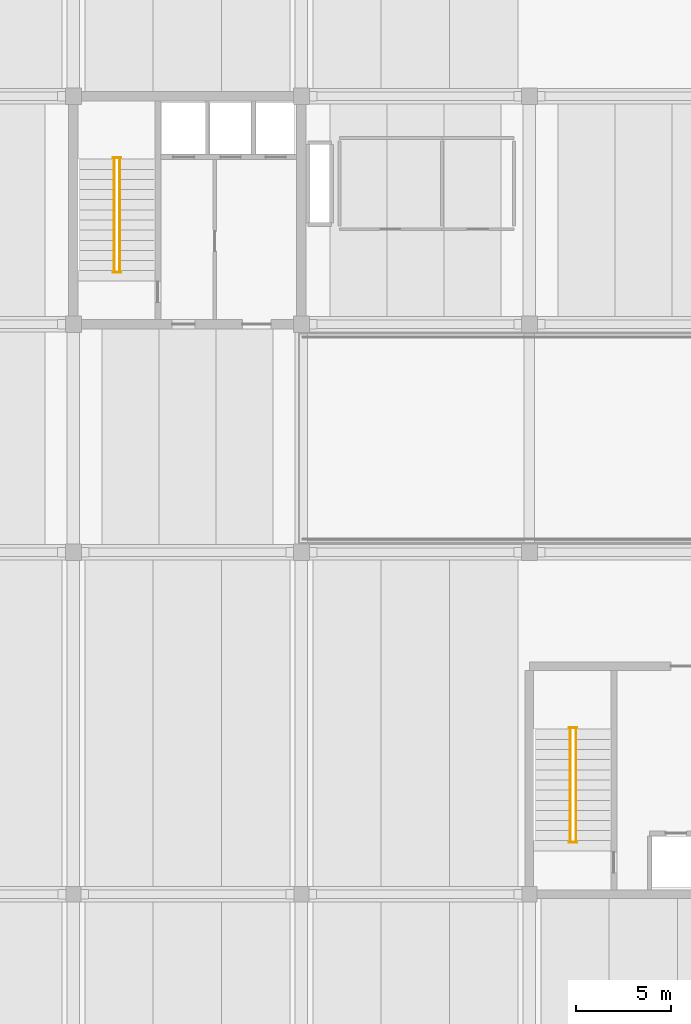
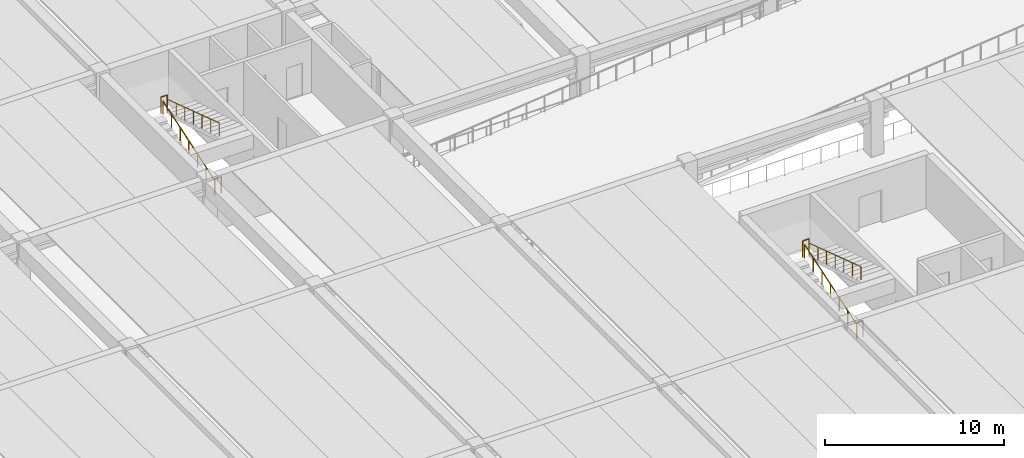
# One storey, part 12 of 14: 8 railings.
"""IFC4 building model written with IfcOpenShell, lengths in metres."""

from ifc_helpers import new_model, si_unit, direction, frame, origin, origin_2d, place, context, subcontext, project, spatial, circle, extrude, material, layer, layer_set, type_object, element, save


model = new_model("IFC4")

# Units and contexts
model_context = context("Model", 3, precision=1e-05, world=origin(), true_north=direction((0.0, 1.0)))
body_context = subcontext(model_context, "Body", "Model", "MODEL_VIEW")
ifc_project = project(units=[si_unit("LENGTHUNIT", "METRE"), si_unit("AREAUNIT", "SQUARE_METRE"), si_unit("VOLUMEUNIT", "CUBIC_METRE"), si_unit("PLANEANGLEUNIT", "RADIAN"), si_unit("MASSUNIT", "GRAM", prefix="KILO")], contexts=[model_context])

# Site, building, storey
site_placement = place(None, origin())
site = spatial("IfcSite", under=ifc_project, at=site_placement, CompositionType="ELEMENT")
building_placement = place(site_placement, origin())
building = spatial("IfcBuilding", under=site, at=building_placement, Name="Girod Span Mobility Hub", CompositionType="ELEMENT")
storey_placement = place(building_placement, frame((0.0, 0.0, 24.800048828125)))
storey = spatial("IfcBuildingStorey", under=building, at=storey_placement, Name="L06", CompositionType="ELEMENT", Elevation=24.800048828125)

# Railings
ifc_material_1 = material(Name="Painted Galvanised Steel", Category="steel")
ifc_layer_1 = layer(ifc_material_1, 0.06494140625)
ifc_layer_set_1 = layer_set([ifc_layer_1], Name="Painted Galvanised Steel")
railing_type_1 = type_object("IfcRailingType", Name="RL-GRD-1120", PredefinedType="GUARDRAIL", material=ifc_layer_set_1)
for number, where, name in (
    (1, (50.10009765625, 65.77001953125, 1.89990234375), "Stair ST-1 Half-Landing Well Guard L06"),
    (2, (50.10009765625, 59.72998046875, 0.0), "Stair ST-1 Landing Well Guard L06"),
    (3, (74.10009765625, 35.77001953125, 1.89990234375), "Stair ST-3 Half-Landing Well Guard L06"),
    (4, (74.10009765625, 29.72998046875, 0.0), "Stair ST-3 Landing Well Guard L06"),
):
    element("IfcRailing", number, at=place(storey_placement, frame(where)), inside=storey, type_object=railing_type_1, Name=name, PredefinedType="GUARDRAIL", context=body_context, shape_type="SweptSolid", body=[
        extrude(circle(Radius=0.02392578125, at=origin_2d()), frame((0.0, 0.0, 1.09619140625), z_axis=(1.0, 0.0, 0.0), x_axis=(0.0, 1.0, 0.0)), (0.0, 0.0, 1.0), 0.39990234375),
        extrude(circle(Radius=0.02099609375, at=origin_2d()), origin(), (0.0, 0.0, 1.0), 1.072021484375),
        extrude(circle(Radius=0.02099609375, at=origin_2d()), frame((0.39990234375, 0.0, 0.0)), (0.0, 0.0, 1.0), 1.072021484375),
    ])
ifc_material_2 = material(Name="Painted Galvanised Steel", Category="steel")
ifc_layer_2 = layer(ifc_material_2, 0.050048828125)
ifc_layer_set_2 = layer_set([ifc_layer_2], Name="Painted Galvanised Steel")
railing_type_2 = type_object("IfcRailingType", Name="RL-HR-920", PredefinedType="HANDRAIL", material=ifc_layer_set_2)
railing_1_placement = place(storey_placement, frame((50.14990234375, 59.860107421875, 0.0)))
element("IfcRailing", 5, at=railing_1_placement, inside=storey, type_object=railing_type_2, Name="Stair ST-1 Flight 1 Handrail L06", PredefinedType="HANDRAIL", context=body_context, shape_type="SweptSolid", body=[
    extrude(circle(Radius=0.02392578125, at=origin_2d()), frame((0.0, 0.0, 0.89599609375), z_axis=(0.0, 0.949991280403, 0.312276427477), x_axis=(-1.0, 0.0, 0.0)), (0.0, 0.0, 1.0), 6.083984375),
    extrude(circle(Radius=0.02099609375, at=origin_2d()), origin(), (0.0, 0.0, 1.0), 0.871826171875),
    extrude(circle(Radius=0.02099609375, at=origin_2d()), frame((0.0, 0.96337890625, 0.316650390625)), (0.0, 0.0, 1.0), 0.871826171875),
    extrude(circle(Radius=0.02099609375, at=origin_2d()), frame((0.0, 1.926513671875, 0.63330078125)), (0.0, 0.0, 1.0), 0.871826171875),
    extrude(circle(Radius=0.02099609375, at=origin_2d()), frame((0.0, 2.889892578125, 0.949951171875)), (0.0, 0.0, 1.0), 0.871826171875),
    extrude(circle(Radius=0.02099609375, at=origin_2d()), frame((0.0, 3.853271484375, 1.2666015625)), (0.0, 0.0, 1.0), 0.871826171875),
    extrude(circle(Radius=0.02099609375, at=origin_2d()), frame((0.0, 4.81640625, 1.583251953125)), (0.0, 0.0, 1.0), 0.871826171875),
    extrude(circle(Radius=0.02099609375, at=origin_2d()), frame((0.0, 5.77978515625, 1.89990234375)), (0.0, 0.0, 1.0), 0.871826171875),
])
railing_2_placement = place(storey_placement, frame((50.449951171875, 65.639892578125, 1.89990234375)))
element("IfcRailing", 6, at=railing_2_placement, inside=storey, type_object=railing_type_2, Name="Stair ST-1 Flight 2 Handrail L06", PredefinedType="HANDRAIL", context=body_context, shape_type="SweptSolid", body=[
    extrude(circle(Radius=0.02392578125, at=origin_2d()), frame((0.0, 0.0, 0.89599609375), z_axis=(0.0, -0.949979375482, 0.31231264169), x_axis=(1.0, 0.0, 0.0)), (0.0, 0.0, 1.0), 6.084228515625),
    extrude(circle(Radius=0.02099609375, at=origin_2d()), origin(), (0.0, 0.0, 1.0), 0.871826171875),
    extrude(circle(Radius=0.02099609375, at=origin_2d()), frame((0.0, -0.96337890625, 0.316650390625)), (0.0, 0.0, 1.0), 0.871826171875),
    extrude(circle(Radius=0.02099609375, at=origin_2d()), frame((0.0, -1.926513671875, 0.63330078125)), (0.0, 0.0, 1.0), 0.871826171875),
    extrude(circle(Radius=0.02099609375, at=origin_2d()), frame((0.0, -2.889892578125, 0.9501953125)), (0.0, 0.0, 1.0), 0.871826171875),
    extrude(circle(Radius=0.02099609375, at=origin_2d()), frame((0.0, -3.853271484375, 1.266845703125)), (0.0, 0.0, 1.0), 0.871826171875),
    extrude(circle(Radius=0.02099609375, at=origin_2d()), frame((0.0, -4.81640625, 1.58349609375)), (0.0, 0.0, 1.0), 0.871826171875),
    extrude(circle(Radius=0.02099609375, at=origin_2d()), frame((0.0, -5.77978515625, 1.900146484375)), (0.0, 0.0, 1.0), 0.871826171875),
])
railing_3_placement = place(storey_placement, frame((74.14990234375, 29.860107421875, 0.0)))
element("IfcRailing", 7, at=railing_3_placement, inside=storey, type_object=railing_type_2, Name="Stair ST-3 Flight 1 Handrail L06", PredefinedType="HANDRAIL", context=body_context, shape_type="SweptSolid", body=[
    extrude(circle(Radius=0.02392578125, at=origin_2d()), frame((0.0, 0.0, 0.89599609375), z_axis=(0.0, 0.949991280403, 0.312276427477), x_axis=(-1.0, 0.0, 0.0)), (0.0, 0.0, 1.0), 6.083984375),
    extrude(circle(Radius=0.02099609375, at=origin_2d()), origin(), (0.0, 0.0, 1.0), 0.871826171875),
    extrude(circle(Radius=0.02099609375, at=origin_2d()), frame((0.0, 0.96337890625, 0.316650390625)), (0.0, 0.0, 1.0), 0.871826171875),
    extrude(circle(Radius=0.02099609375, at=origin_2d()), frame((0.0, 1.926513671875, 0.63330078125)), (0.0, 0.0, 1.0), 0.871826171875),
    extrude(circle(Radius=0.02099609375, at=origin_2d()), frame((0.0, 2.889892578125, 0.949951171875)), (0.0, 0.0, 1.0), 0.871826171875),
    extrude(circle(Radius=0.02099609375, at=origin_2d()), frame((0.0, 3.853271484375, 1.2666015625)), (0.0, 0.0, 1.0), 0.871826171875),
    extrude(circle(Radius=0.02099609375, at=origin_2d()), frame((0.0, 4.81640625, 1.583251953125)), (0.0, 0.0, 1.0), 0.871826171875),
    extrude(circle(Radius=0.02099609375, at=origin_2d()), frame((0.0, 5.77978515625, 1.89990234375)), (0.0, 0.0, 1.0), 0.871826171875),
])
railing_4_placement = place(storey_placement, frame((74.449951171875, 35.639892578125, 1.89990234375)))
element("IfcRailing", 8, at=railing_4_placement, inside=storey, type_object=railing_type_2, Name="Stair ST-3 Flight 2 Handrail L06", PredefinedType="HANDRAIL", context=body_context, shape_type="SweptSolid", body=[
    extrude(circle(Radius=0.02392578125, at=origin_2d()), frame((0.0, 0.0, 0.89599609375), z_axis=(0.0, -0.949979375482, 0.31231264169), x_axis=(1.0, 0.0, 0.0)), (0.0, 0.0, 1.0), 6.084228515625),
    extrude(circle(Radius=0.02099609375, at=origin_2d()), origin(), (0.0, 0.0, 1.0), 0.871826171875),
    extrude(circle(Radius=0.02099609375, at=origin_2d()), frame((0.0, -0.96337890625, 0.316650390625)), (0.0, 0.0, 1.0), 0.871826171875),
    extrude(circle(Radius=0.02099609375, at=origin_2d()), frame((0.0, -1.926513671875, 0.63330078125)), (0.0, 0.0, 1.0), 0.871826171875),
    extrude(circle(Radius=0.02099609375, at=origin_2d()), frame((0.0, -2.889892578125, 0.9501953125)), (0.0, 0.0, 1.0), 0.871826171875),
    extrude(circle(Radius=0.02099609375, at=origin_2d()), frame((0.0, -3.853271484375, 1.266845703125)), (0.0, 0.0, 1.0), 0.871826171875),
    extrude(circle(Radius=0.02099609375, at=origin_2d()), frame((0.0, -4.81640625, 1.58349609375)), (0.0, 0.0, 1.0), 0.871826171875),
    extrude(circle(Radius=0.02099609375, at=origin_2d()), frame((0.0, -5.77978515625, 1.900146484375)), (0.0, 0.0, 1.0), 0.871826171875),
])

save(model, "model.ifc")
